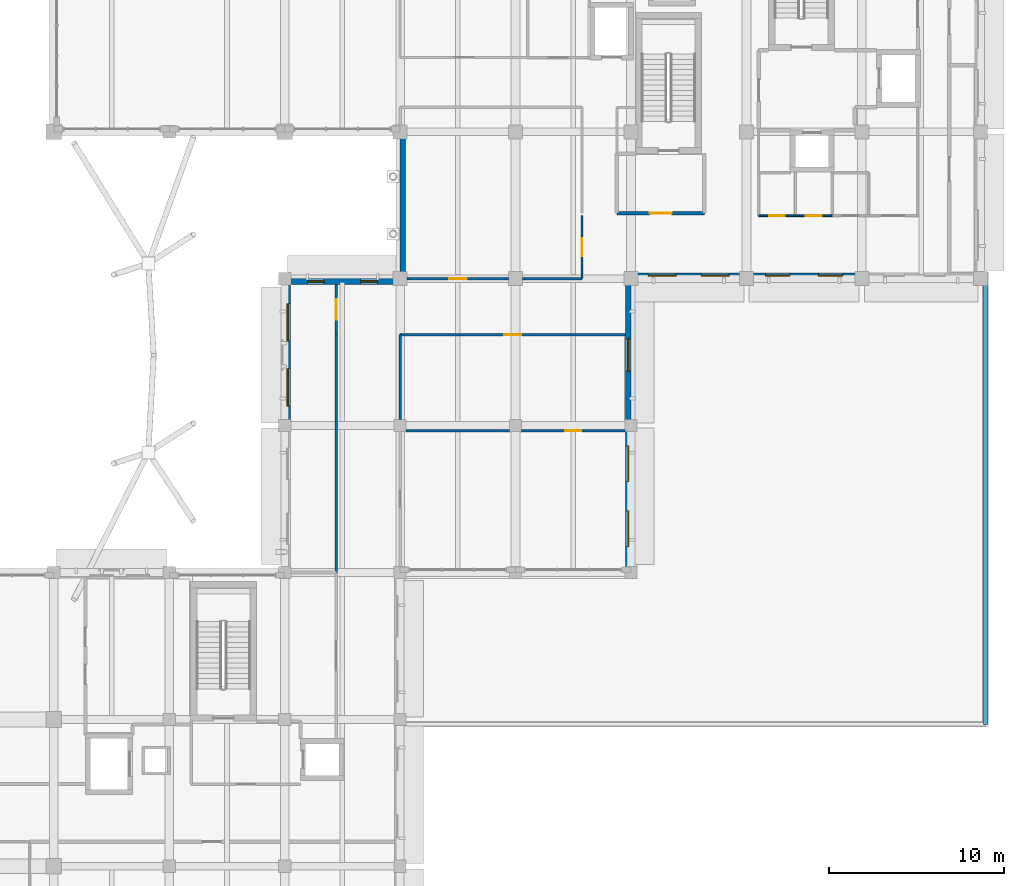
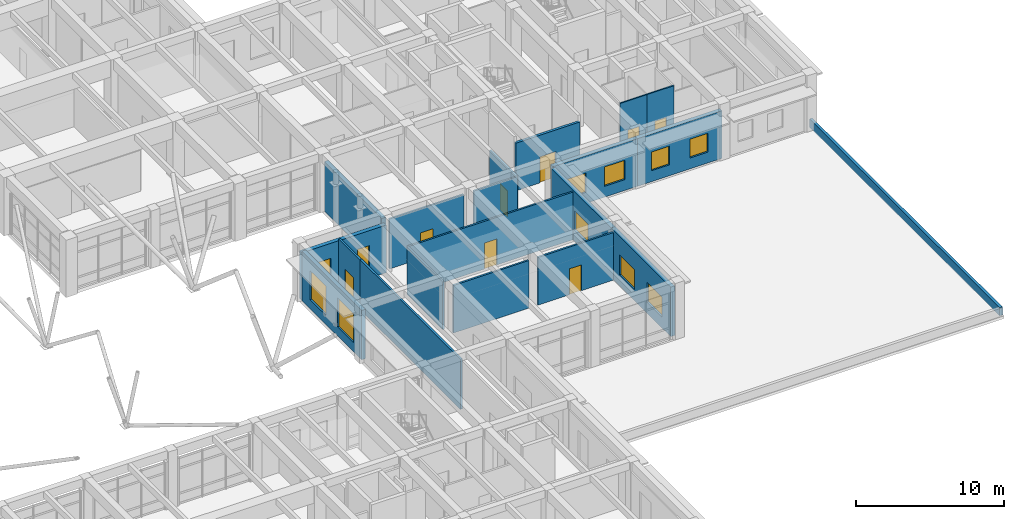
# One storey, part 52 of 75: 20 walls, 11 windows, 8 doors, 19 openings.
"""IFC4 building model written with IfcOpenShell, lengths in metres."""

from ifc_helpers import new_model, si_unit, direction, frame, frame_2d, origin, place, context, subcontext, project, spatial, rectangle, extrude, material, layer, layer_set, type_object, element, fill, save


model = new_model("IFC4")

# Units and contexts
model_context = context("Model", 3, precision=1e-05, world=origin(), true_north=direction((0.0, 1.0)))
body_context = subcontext(model_context, "Body", "Model", "MODEL_VIEW")
ifc_project = project(units=[si_unit("LENGTHUNIT", "METRE"), si_unit("AREAUNIT", "SQUARE_METRE"), si_unit("VOLUMEUNIT", "CUBIC_METRE"), si_unit("PLANEANGLEUNIT", "RADIAN"), si_unit("MASSUNIT", "GRAM", prefix="KILO")], contexts=[model_context])

# Site, building, storey
site_placement = place(None, origin())
site = spatial("IfcSite", under=ifc_project, at=site_placement, CompositionType="ELEMENT")
building_placement = place(site_placement, origin())
building = spatial("IfcBuilding", under=site, at=building_placement, Name="Kolvaren Faculty of Natural Sciences", CompositionType="ELEMENT")
storey_placement = place(building_placement, frame((0.0, 0.0, 5.39990234375)))
storey = spatial("IfcBuildingStorey", under=building, at=storey_placement, Name="L01", CompositionType="ELEMENT", Elevation=5.39990234375)

# Wall, opening, door
ifc_material_1 = material(Name="Acoustic mineral-wool insulated gypsum partition")
ifc_layer_1 = layer(ifc_material_1, 0.159912109375)
ifc_layer_set_1 = layer_set([ifc_layer_1], Name="Acoustic mineral-wool insulated gypsum partition")
wall_type_1 = type_object("IfcWallType", Name="ClassroomPartitionWall_160", PredefinedType="PARTITIONING", material=ifc_layer_set_1)
wall_1_placement = place(storey_placement, frame((135.14990234375, 58.677978515625, 0.0), z_axis=(0.0, 0.0, 1.0), x_axis=(0.0, -1.0, 0.0)))
wall_1 = element("IfcWall", 1, at=wall_1_placement, inside=storey, type_object=wall_type_1, Name="L01 interior partition PW-160", PredefinedType="PARTITIONING", context=body_context, shape_type="SweptSolid", body=[
    extrude(rectangle(XDim=2.8779296875, YDim=0.159912109375, at=frame_2d((1.43896484375, 0.0))), origin(), (0.0, 0.0, 1.0), 4.085205078125),
])
opening_1_placement = place(wall_1_placement, frame((0.84912109375, 0.0, 0.0)))
opening_1 = element("IfcOpeningElement", 2, at=opening_1_placement, cuts=wall_1, Name="Opening ID-18", PredefinedType="OPENING", context=body_context, shape_type="SweptSolid", body=[
    extrude(rectangle(XDim=1.179931640625, YDim=2.10009765625, at=frame_2d((0.58984375, 1.050048828125))), frame((0.0, 0.08984375, 0.0), z_axis=(0.0, -1.0, 0.0), x_axis=(1.0, 0.0, 0.0)), (0.0, 0.0, 1.0), 0.179931640625),
])
ifc_material_2 = material(Name="Solid-core hardwood veneer door leaf in steel frame", Category="steel")
door_type_1 = type_object("IfcDoorType", Name="InteriorRoomDoor_1180x2100", OperationType="NOTDEFINED", PredefinedType="DOOR", material=ifc_material_2)
door_1_placement = place(opening_1_placement, origin())
door_1 = element("IfcDoor", 3, at=door_1_placement, inside=storey, type_object=door_type_1, Name="D-L01-0152", OperationType="SINGLE_SWING_RIGHT", OverallHeight=2.10009765625, OverallWidth=1.179931640625, PredefinedType="DOOR", context=body_context, shape_type="SweptSolid", body=[
    extrude(rectangle(XDim=1.179931640625, YDim=2.10009765625, at=frame_2d((0.58984375, 1.050048828125))), frame((0.0, 0.02490234375, 0.0), z_axis=(0.0, -1.0, 0.0), x_axis=(1.0, 0.0, 0.0)), (0.0, 0.0, 1.0), 0.050048828125),
])
fill(opening_1, door_1)

# Wall
wall_2_placement = place(storey_placement, frame((135.14990234375, 55.800048828125, 0.0), z_axis=(0.0, 0.0, 1.0), x_axis=(0.0, -1.0, 0.0)))
element("IfcWall", 4, at=wall_2_placement, inside=storey, type_object=wall_type_1, Name="L01 interior partition PW-160", PredefinedType="PARTITIONING", context=body_context, shape_type="SweptSolid", body=[
    extrude(rectangle(XDim=13.60009765625, YDim=0.159912109375, at=frame_2d((6.800048828125, 0.0))), origin(), (0.0, 0.0, 1.0), 4.135009765625),
])

# Wall, opening, door
ifc_layer_2 = layer(ifc_material_1, 0.139892578125)
ifc_layer_set_2 = layer_set([ifc_layer_2], Name="Acoustic mineral-wool insulated gypsum partition")
wall_type_2 = type_object("IfcWallType", Name="CommonsPartitionWall_140", PredefinedType="PARTITIONING", material=ifc_layer_set_2)
wall_3_placement = place(storey_placement, frame((138.800048828125, 55.800048828125, 0.0), z_axis=(0.0, 0.0, 1.0), x_axis=(1.0, 0.0, 0.0)))
wall_3 = element("IfcWall", 5, at=wall_3_placement, inside=storey, type_object=wall_type_2, Name="L01 interior partition PW-140", PredefinedType="PARTITIONING", context=body_context, shape_type="SweptSolid", body=[
    extrude(rectangle(XDim=12.8779296875, YDim=0.139892578125, at=frame_2d((6.43896484375, 0.0))), origin(), (0.0, 0.0, 1.0), 3.93505859375),
])
opening_2_placement = place(wall_3_placement, frame((5.958984375, 0.0, 0.0)))
opening_2 = element("IfcOpeningElement", 6, at=opening_2_placement, cuts=wall_3, Name="Opening ID-20", PredefinedType="OPENING", context=body_context, shape_type="SweptSolid", body=[
    extrude(rectangle(XDim=0.9599609375, YDim=2.139892578125, at=frame_2d((0.47998046875, 1.06982421875))), frame((0.0, 0.079833984375, 0.0), z_axis=(0.0, -1.0, 0.0), x_axis=(1.0, 0.0, 0.0)), (0.0, 0.0, 1.0), 0.159912109375),
])
door_type_2 = type_object("IfcDoorType", Name="InteriorRoomDoor_960x2140", OperationType="NOTDEFINED", PredefinedType="DOOR", material=ifc_material_2)
door_2_placement = place(opening_2_placement, origin())
door_2 = element("IfcDoor", 7, at=door_2_placement, inside=storey, type_object=door_type_2, Name="D-L01-0155", OperationType="SINGLE_SWING_LEFT", OverallHeight=2.139892578125, OverallWidth=0.9599609375, PredefinedType="DOOR", context=body_context, shape_type="SweptSolid", body=[
    extrude(rectangle(XDim=0.9599609375, YDim=2.139892578125, at=frame_2d((0.47998046875, 1.06982421875))), frame((0.0, 0.02490234375, 0.0), z_axis=(0.0, -1.0, 0.0), x_axis=(1.0, 0.0, 0.0)), (0.0, 0.0, 1.0), 0.050048828125),
])
fill(opening_2, door_2)

# Walls
wall_4_placement = place(storey_placement, frame((138.800048828125, 50.949951171875, 0.0), z_axis=(0.0, 0.0, 1.0), x_axis=(0.0, 1.0, 0.0)))
element("IfcWall", 8, at=wall_4_placement, inside=storey, type_object=wall_type_2, Name="L01 interior partition PW-140", PredefinedType="PARTITIONING", context=body_context, shape_type="SweptSolid", body=[
    extrude(rectangle(XDim=4.85009765625, YDim=0.139892578125, at=frame_2d((2.425048828125, 0.0))), origin(), (0.0, 0.0, 1.0), 3.93505859375),
])
ifc_layer_3 = layer(ifc_material_1, 0.14501953125)
ifc_layer_set_3 = layer_set([ifc_layer_3], Name="Acoustic mineral-wool insulated gypsum partition")
wall_type_3 = type_object("IfcWallType", Name="CommonsPartitionWall_145", PredefinedType="PARTITIONING", material=ifc_layer_set_3)
wall_5_placement = place(storey_placement, frame((139.14990234375, 50.300048828125, 0.0), z_axis=(0.0, 0.0, 1.0), x_axis=(1.0, 0.0, 0.0)))
element("IfcWall", 9, at=wall_5_placement, inside=storey, type_object=wall_type_3, Name="L01 interior partition PW-145", PredefinedType="PARTITIONING", context=body_context, shape_type="SweptSolid", body=[
    extrude(rectangle(XDim=5.900146484375, YDim=0.14501953125, at=frame_2d((2.9501953125, 0.0))), origin(), (0.0, 0.0, 1.0), 3.93505859375),
])

# Wall, opening, door
wall_6_placement = place(storey_placement, frame((145.75, 50.300048828125, 0.0), z_axis=(0.0, 0.0, 1.0), x_axis=(1.0, 0.0, 0.0)))
wall_6 = element("IfcWall", 10, at=wall_6_placement, inside=storey, type_object=wall_type_3, Name="L01 interior partition PW-145", PredefinedType="PARTITIONING", context=body_context, shape_type="SweptSolid", body=[
    extrude(rectangle(XDim=5.89990234375, YDim=0.14501953125, at=frame_2d((2.949951171875, 0.0))), origin(), (0.0, 0.0, 1.0), 3.93505859375),
])
opening_3_placement = place(wall_6_placement, frame((2.489990234375, 0.0, 0.0)))
opening_3 = element("IfcOpeningElement", 11, at=opening_3_placement, cuts=wall_6, Name="Opening ID-19", PredefinedType="OPENING", context=body_context, shape_type="SweptSolid", body=[
    extrude(rectangle(XDim=0.919921875, YDim=2.139892578125, at=frame_2d((0.4599609375, 1.06982421875))), frame((0.0, 0.08251953125, 0.0), z_axis=(0.0, -1.0, 0.0), x_axis=(1.0, 0.0, 0.0)), (0.0, 0.0, 1.0), 0.1650390625),
])
door_type_3 = type_object("IfcDoorType", Name="InteriorRoomDoor_920x2140", OperationType="NOTDEFINED", PredefinedType="DOOR", material=ifc_material_2)
door_3_placement = place(opening_3_placement, origin())
door_3 = element("IfcDoor", 12, at=door_3_placement, inside=storey, type_object=door_type_3, Name="D-L01-0154", OperationType="SINGLE_SWING_RIGHT", OverallHeight=2.139892578125, OverallWidth=0.919921875, PredefinedType="DOOR", context=body_context, shape_type="SweptSolid", body=[
    extrude(rectangle(XDim=0.919921875, YDim=2.139892578125, at=frame_2d((0.4599609375, 1.06982421875))), frame((0.0, 0.02490234375, 0.0), z_axis=(0.0, -1.0, 0.0), x_axis=(1.0, 0.0, 0.0)), (0.0, 0.0, 1.0), 0.050048828125),
])
fill(opening_3, door_3)

# Wall, openings, windows
ifc_material_3 = material(Name="Sandstone-faced insulated cavity masonry", Category="masonry")
ifc_layer_4 = layer(ifc_material_3, 0.320068359375)
ifc_layer_set_4 = layer_set([ifc_layer_4], Name="Sandstone-faced insulated cavity masonry")
wall_type_4 = type_object("IfcWallType", Name="ExteriorCavityWall_320", PredefinedType="STANDARD", material=ifc_layer_set_4)
wall_7_placement = place(storey_placement, frame((132.360107421875, 50.60009765625, 0.0), z_axis=(0.0, 0.0, 1.0), x_axis=(0.0, 1.0, 0.0)))
wall_7 = element("IfcWall", 13, at=wall_7_placement, inside=storey, type_object=wall_type_4, Name="L01 exterior masonry wall EW-320 (184)", PredefinedType="STANDARD", context=body_context, shape_type="SweptSolid", body=[
    extrude(rectangle(XDim=8.079833984375, YDim=0.320068359375, at=frame_2d((4.0400390625, 0.0))), origin(), (0.0, 0.0, 1.0), 4.085205078125),
])
opening_4_placement = place(wall_7_placement, frame((1.106689453125, 0.0, 0.75)))
opening_4 = element("IfcOpeningElement", 14, at=opening_4_placement, cuts=wall_7, Name="Opening WIN-22", PredefinedType="OPENING", context=body_context, shape_type="SweptSolid", body=[
    extrude(rectangle(XDim=2.14990234375, YDim=2.39990234375, at=frame_2d((1.074951171875, 1.199951171875))), frame((0.0, 0.169921875, 0.0), z_axis=(0.0, -1.0, 0.0), x_axis=(1.0, 0.0, 0.0)), (0.0, 0.0, 1.0), 0.340087890625),
])
opening_5_placement = place(wall_7_placement, frame((4.823486328125, 0.0, 0.75)))
opening_5 = element("IfcOpeningElement", 15, at=opening_5_placement, cuts=wall_7, Name="Opening WIN-22", PredefinedType="OPENING", context=body_context, shape_type="SweptSolid", body=[
    extrude(rectangle(XDim=2.14990234375, YDim=2.39990234375, at=frame_2d((1.074951171875, 1.199951171875))), frame((0.0, 0.169921875, 0.0), z_axis=(0.0, -1.0, 0.0), x_axis=(1.0, 0.0, 0.0)), (0.0, 0.0, 1.0), 0.340087890625),
])
ifc_material_4 = material(Name="Double low-E solar control insulated glazing", Category="glass")
window_type_1 = type_object("IfcWindowType", Name="AluWindow_WIN22_2150x2400", PartitioningType="SINGLE_PANEL", PredefinedType="WINDOW", material=ifc_material_4)
window_1_placement = place(opening_4_placement, origin())
window_1 = element("IfcWindow", 16, at=window_1_placement, inside=storey, type_object=window_type_1, Name="WIN-L01-0169", OverallHeight=2.39990234375, OverallWidth=2.14990234375, PartitioningType="SINGLE_PANEL", PredefinedType="WINDOW", context=body_context, shape_type="SweptSolid", body=[
    extrude(rectangle(XDim=2.14990234375, YDim=2.39990234375, at=frame_2d((1.074951171875, 1.199951171875))), frame((0.0, 0.030029296875, 0.0), z_axis=(0.0, -1.0, 0.0), x_axis=(1.0, 0.0, 0.0)), (0.0, 0.0, 1.0), 0.06005859375),
])
fill(opening_4, window_1)
window_2_placement = place(opening_5_placement, origin())
window_2 = element("IfcWindow", 17, at=window_2_placement, inside=storey, type_object=window_type_1, Name="WIN-L01-0170", OverallHeight=2.39990234375, OverallWidth=2.14990234375, PartitioningType="SINGLE_PANEL", PredefinedType="WINDOW", context=body_context, shape_type="SweptSolid", body=[
    extrude(rectangle(XDim=2.14990234375, YDim=2.39990234375, at=frame_2d((1.074951171875, 1.199951171875))), frame((0.0, 0.030029296875, 0.0), z_axis=(0.0, -1.0, 0.0), x_axis=(1.0, 0.0, 0.0)), (0.0, 0.0, 1.0), 0.06005859375),
])
fill(opening_5, window_2)

wall_8_placement = place(storey_placement, frame((132.199951171875, 58.840087890625, 0.0), z_axis=(0.0, 0.0, 1.0), x_axis=(1.0, 0.0, 0.0)))
wall_8 = element("IfcWall", 18, at=wall_8_placement, inside=storey, type_object=wall_type_4, Name="L01 exterior masonry wall EW-320 (185)", PredefinedType="STANDARD", context=body_context, shape_type="SweptSolid", body=[
    extrude(rectangle(XDim=6.60009765625, YDim=0.320068359375, at=frame_2d((3.300048828125, 0.0))), origin(), (0.0, 0.0, 1.0), 3.93505859375),
])
opening_6_placement = place(wall_8_placement, frame((1.306884765625, 0.0, 0.89990234375)))
opening_6 = element("IfcOpeningElement", 19, at=opening_6_placement, cuts=wall_8, Name="Opening WIN-23", PredefinedType="OPENING", context=body_context, shape_type="SweptSolid", body=[
    extrude(rectangle(XDim=0.949951171875, YDim=1.800048828125, at=frame_2d((0.47509765625, 0.89990234375))), frame((0.0, 0.169921875, 0.0), z_axis=(0.0, -1.0, 0.0), x_axis=(1.0, 0.0, 0.0)), (0.0, 0.0, 1.0), 0.340087890625),
])
opening_7_placement = place(wall_8_placement, frame((4.343017578125, 0.0, 0.89990234375)))
opening_7 = element("IfcOpeningElement", 20, at=opening_7_placement, cuts=wall_8, Name="Opening WIN-23", PredefinedType="OPENING", context=body_context, shape_type="SweptSolid", body=[
    extrude(rectangle(XDim=0.949951171875, YDim=1.800048828125, at=frame_2d((0.47509765625, 0.89990234375))), frame((0.0, 0.169921875, 0.0), z_axis=(0.0, -1.0, 0.0), x_axis=(1.0, 0.0, 0.0)), (0.0, 0.0, 1.0), 0.340087890625),
])
window_type_2 = type_object("IfcWindowType", Name="AluWindow_WIN23_950x1800", PartitioningType="SINGLE_PANEL", PredefinedType="WINDOW", material=ifc_material_4)
window_3_placement = place(opening_6_placement, origin())
window_3 = element("IfcWindow", 21, at=window_3_placement, inside=storey, type_object=window_type_2, Name="WIN-L01-0171", OverallHeight=1.800048828125, OverallWidth=0.949951171875, PartitioningType="SINGLE_PANEL", PredefinedType="WINDOW", context=body_context, shape_type="SweptSolid", body=[
    extrude(rectangle(XDim=0.949951171875, YDim=1.800048828125, at=frame_2d((0.47509765625, 0.89990234375))), frame((0.0, 0.030029296875, 0.0), z_axis=(0.0, -1.0, 0.0), x_axis=(1.0, 0.0, 0.0)), (0.0, 0.0, 1.0), 0.06005859375),
])
fill(opening_6, window_3)
window_4_placement = place(opening_7_placement, origin())
window_4 = element("IfcWindow", 22, at=window_4_placement, inside=storey, type_object=window_type_2, Name="WIN-L01-0172", OverallHeight=1.800048828125, OverallWidth=0.949951171875, PartitioningType="SINGLE_PANEL", PredefinedType="WINDOW", context=body_context, shape_type="SweptSolid", body=[
    extrude(rectangle(XDim=0.949951171875, YDim=1.800048828125, at=frame_2d((0.47509765625, 0.89990234375))), frame((0.0, 0.030029296875, 0.0), z_axis=(0.0, -1.0, 0.0), x_axis=(1.0, 0.0, 0.0)), (0.0, 0.0, 1.0), 0.06005859375),
])
fill(opening_7, window_4)

# Wall
wall_9_placement = place(storey_placement, frame((138.9599609375, 59.320068359375, 0.0), z_axis=(0.0, 0.0, 1.0), x_axis=(0.0, 1.0, 0.0)))
element("IfcWall", 23, at=wall_9_placement, inside=storey, type_object=wall_type_4, Name="L01 exterior masonry wall EW-320 (186)", PredefinedType="STANDARD", context=body_context, shape_type="SweptSolid", body=[
    extrude(rectangle(XDim=7.760009765625, YDim=0.320068359375, at=frame_2d((3.8798828125, 0.0))), origin(), (0.0, 0.0, 1.0), 4.085205078125),
])

# Wall, openings, windows
wall_10_placement = place(storey_placement, frame((165.199951171875, 59.159912109375, 0.0), z_axis=(0.0, 0.0, 1.0), x_axis=(-1.0, 0.0, 0.0)))
wall_10 = element("IfcWall", 24, at=wall_10_placement, inside=storey, type_object=wall_type_4, Name="L01 exterior masonry wall EW-320 (220)", PredefinedType="STANDARD", context=body_context, shape_type="SweptSolid", body=[
    extrude(rectangle(XDim=6.599853515625, YDim=0.320068359375, at=frame_2d((3.2998046875, 0.0))), origin(), (0.0, 0.0, 1.0), 3.93505859375),
])
opening_8_placement = place(wall_10_placement, frame((1.08203125, 0.0, 0.89990234375)))
opening_8 = element("IfcOpeningElement", 25, at=opening_8_placement, cuts=wall_10, Name="Opening WIN-14", PredefinedType="OPENING", context=body_context, shape_type="SweptSolid", body=[
    extrude(rectangle(XDim=1.39990234375, YDim=1.550048828125, at=frame_2d((0.699951171875, 0.77490234375))), frame((0.0, 0.169921875, 0.0), z_axis=(0.0, -1.0, 0.0), x_axis=(1.0, 0.0, 0.0)), (0.0, 0.0, 1.0), 0.340087890625),
])
opening_9_placement = place(wall_10_placement, frame((4.117919921875, 0.0, 0.89990234375)))
opening_9 = element("IfcOpeningElement", 26, at=opening_9_placement, cuts=wall_10, Name="Opening WIN-14", PredefinedType="OPENING", context=body_context, shape_type="SweptSolid", body=[
    extrude(rectangle(XDim=1.39990234375, YDim=1.550048828125, at=frame_2d((0.699951171875, 0.77490234375))), frame((0.0, 0.169921875, 0.0), z_axis=(0.0, -1.0, 0.0), x_axis=(1.0, 0.0, 0.0)), (0.0, 0.0, 1.0), 0.340087890625),
])
window_type_3 = type_object("IfcWindowType", Name="AluWindow_WIN14_1400x1550", PartitioningType="SINGLE_PANEL", PredefinedType="WINDOW", material=ifc_material_4)
window_5_placement = place(opening_8_placement, origin())
window_5 = element("IfcWindow", 27, at=window_5_placement, inside=storey, type_object=window_type_3, Name="WIN-L01-0192", OverallHeight=1.550048828125, OverallWidth=1.39990234375, PartitioningType="SINGLE_PANEL", PredefinedType="WINDOW", context=body_context, shape_type="SweptSolid", body=[
    extrude(rectangle(XDim=1.39990234375, YDim=1.550048828125, at=frame_2d((0.699951171875, 0.77490234375))), frame((0.0, 0.030029296875, 0.0), z_axis=(0.0, -1.0, 0.0), x_axis=(1.0, 0.0, 0.0)), (0.0, 0.0, 1.0), 0.06005859375),
])
fill(opening_8, window_5)
window_6_placement = place(opening_9_placement, origin())
window_6 = element("IfcWindow", 28, at=window_6_placement, inside=storey, type_object=window_type_3, Name="WIN-L01-0193", OverallHeight=1.550048828125, OverallWidth=1.39990234375, PartitioningType="SINGLE_PANEL", PredefinedType="WINDOW", context=body_context, shape_type="SweptSolid", body=[
    extrude(rectangle(XDim=1.39990234375, YDim=1.550048828125, at=frame_2d((0.699951171875, 0.77490234375))), frame((0.0, 0.030029296875, 0.0), z_axis=(0.0, -1.0, 0.0), x_axis=(1.0, 0.0, 0.0)), (0.0, 0.0, 1.0), 0.06005859375),
])
fill(opening_9, window_6)

wall_11_placement = place(storey_placement, frame((158.60009765625, 59.159912109375, 0.0), z_axis=(0.0, 0.0, 1.0), x_axis=(-1.0, 0.0, 0.0)))
wall_11 = element("IfcWall", 29, at=wall_11_placement, inside=storey, type_object=wall_type_4, Name="L01 exterior masonry wall EW-320 (221)", PredefinedType="STANDARD", context=body_context, shape_type="SweptSolid", body=[
    extrude(rectangle(XDim=6.60009765625, YDim=0.320068359375, at=frame_2d((3.300048828125, 0.0))), origin(), (0.0, 0.0, 1.0), 3.93505859375),
])
opening_10_placement = place(wall_11_placement, frame((0.98193359375, 0.0, 0.89990234375)))
opening_10 = element("IfcOpeningElement", 30, at=opening_10_placement, cuts=wall_11, Name="Opening WIN-15", PredefinedType="OPENING", context=body_context, shape_type="SweptSolid", body=[
    extrude(rectangle(XDim=1.60009765625, YDim=1.60009765625, at=frame_2d((0.800048828125, 0.800048828125))), frame((0.0, 0.169921875, 0.0), z_axis=(0.0, -1.0, 0.0), x_axis=(1.0, 0.0, 0.0)), (0.0, 0.0, 1.0), 0.340087890625),
])
opening_11_placement = place(wall_11_placement, frame((4.01806640625, 0.0, 0.89990234375)))
opening_11 = element("IfcOpeningElement", 31, at=opening_11_placement, cuts=wall_11, Name="Opening WIN-15", PredefinedType="OPENING", context=body_context, shape_type="SweptSolid", body=[
    extrude(rectangle(XDim=1.60009765625, YDim=1.60009765625, at=frame_2d((0.800048828125, 0.800048828125))), frame((0.0, 0.169921875, 0.0), z_axis=(0.0, -1.0, 0.0), x_axis=(1.0, 0.0, 0.0)), (0.0, 0.0, 1.0), 0.340087890625),
])
window_type_4 = type_object("IfcWindowType", Name="AluWindow_WIN15_1600x1600", PartitioningType="SINGLE_PANEL", PredefinedType="WINDOW", material=ifc_material_4)
window_7_placement = place(opening_10_placement, origin())
window_7 = element("IfcWindow", 32, at=window_7_placement, inside=storey, type_object=window_type_4, Name="WIN-L01-0194", OverallHeight=1.60009765625, OverallWidth=1.60009765625, PartitioningType="SINGLE_PANEL", PredefinedType="WINDOW", context=body_context, shape_type="SweptSolid", body=[
    extrude(rectangle(XDim=1.60009765625, YDim=1.60009765625, at=frame_2d((0.800048828125, 0.800048828125))), frame((0.0, 0.030029296875, 0.0), z_axis=(0.0, -1.0, 0.0), x_axis=(1.0, 0.0, 0.0)), (0.0, 0.0, 1.0), 0.06005859375),
])
fill(opening_10, window_7)
window_8_placement = place(opening_11_placement, origin())
window_8 = element("IfcWindow", 33, at=window_8_placement, inside=storey, type_object=window_type_4, Name="WIN-L01-0195", OverallHeight=1.60009765625, OverallWidth=1.60009765625, PartitioningType="SINGLE_PANEL", PredefinedType="WINDOW", context=body_context, shape_type="SweptSolid", body=[
    extrude(rectangle(XDim=1.60009765625, YDim=1.60009765625, at=frame_2d((0.800048828125, 0.800048828125))), frame((0.0, 0.030029296875, 0.0), z_axis=(0.0, -1.0, 0.0), x_axis=(1.0, 0.0, 0.0)), (0.0, 0.0, 1.0), 0.06005859375),
])
fill(opening_11, window_8)

# Wall, opening, window
wall_12_placement = place(storey_placement, frame((151.840087890625, 58.679931640625, 0.0), z_axis=(0.0, 0.0, 1.0), x_axis=(0.0, -1.0, 0.0)))
wall_12 = element("IfcWall", 34, at=wall_12_placement, inside=storey, type_object=wall_type_4, Name="L01 exterior masonry wall EW-320 (222)", PredefinedType="STANDARD", context=body_context, shape_type="SweptSolid", body=[
    extrude(rectangle(XDim=8.079833984375, YDim=0.320068359375, at=frame_2d((4.0400390625, 0.0))), origin(), (0.0, 0.0, 1.0), 4.085205078125),
])
opening_12_placement = place(wall_12_placement, frame((3.1201171875, 0.0, 0.89990234375)))
opening_12 = element("IfcOpeningElement", 35, at=opening_12_placement, cuts=wall_12, Name="Opening WIN-16", PredefinedType="OPENING", context=body_context, shape_type="SweptSolid", body=[
    extrude(rectangle(XDim=1.85009765625, YDim=1.60009765625, at=frame_2d((0.925048828125, 0.800048828125))), frame((0.0, 0.169921875, 0.0), z_axis=(0.0, -1.0, 0.0), x_axis=(1.0, 0.0, 0.0)), (0.0, 0.0, 1.0), 0.340087890625),
])
window_type_5 = type_object("IfcWindowType", Name="AluWindow_WIN16_1850x1600", PartitioningType="SINGLE_PANEL", PredefinedType="WINDOW", material=ifc_material_4)
window_9_placement = place(opening_12_placement, origin())
window_9 = element("IfcWindow", 36, at=window_9_placement, inside=storey, type_object=window_type_5, Name="WIN-L01-0196", OverallHeight=1.60009765625, OverallWidth=1.85009765625, PartitioningType="SINGLE_PANEL", PredefinedType="WINDOW", context=body_context, shape_type="SweptSolid", body=[
    extrude(rectangle(XDim=1.85009765625, YDim=1.60009765625, at=frame_2d((0.925048828125, 0.800048828125))), frame((0.0, 0.030029296875, 0.0), z_axis=(0.0, -1.0, 0.0), x_axis=(1.0, 0.0, 0.0)), (0.0, 0.0, 1.0), 0.06005859375),
])
fill(opening_12, window_9)

# Wall, openings, windows
wall_13_placement = place(storey_placement, frame((151.840087890625, 50.60009765625, 0.0), z_axis=(0.0, 0.0, 1.0), x_axis=(0.0, -1.0, 0.0)))
wall_13 = element("IfcWall", 37, at=wall_13_placement, inside=storey, type_object=wall_type_4, Name="L01 exterior masonry wall EW-320 (223)", PredefinedType="STANDARD", context=body_context, shape_type="SweptSolid", body=[
    extrude(rectangle(XDim=8.080078125, YDim=0.320068359375, at=frame_2d((4.0400390625, 0.0))), origin(), (0.0, 0.0, 1.0), 4.085205078125),
])
opening_13_placement = place(wall_13_placement, frame((1.156494140625, 0.0, 0.89990234375)))
opening_13 = element("IfcOpeningElement", 38, at=opening_13_placement, cuts=wall_13, Name="Opening WIN-17", PredefinedType="OPENING", context=body_context, shape_type="SweptSolid", body=[
    extrude(rectangle(XDim=2.050048828125, YDim=1.64990234375, at=frame_2d((1.02490234375, 0.824951171875))), frame((0.0, 0.169921875, 0.0), z_axis=(0.0, -1.0, 0.0), x_axis=(1.0, 0.0, 0.0)), (0.0, 0.0, 1.0), 0.340087890625),
])
opening_14_placement = place(wall_13_placement, frame((4.873291015625, 0.0, 0.89990234375)))
opening_14 = element("IfcOpeningElement", 39, at=opening_14_placement, cuts=wall_13, Name="Opening WIN-17", PredefinedType="OPENING", context=body_context, shape_type="SweptSolid", body=[
    extrude(rectangle(XDim=2.050048828125, YDim=1.64990234375, at=frame_2d((1.02490234375, 0.824951171875))), frame((0.0, 0.169921875, 0.0), z_axis=(0.0, -1.0, 0.0), x_axis=(1.0, 0.0, 0.0)), (0.0, 0.0, 1.0), 0.340087890625),
])
window_type_6 = type_object("IfcWindowType", Name="AluWindow_WIN17_2050x1650", PartitioningType="SINGLE_PANEL", PredefinedType="WINDOW", material=ifc_material_4)
window_10_placement = place(opening_13_placement, origin())
window_10 = element("IfcWindow", 40, at=window_10_placement, inside=storey, type_object=window_type_6, Name="WIN-L01-0197", OverallHeight=1.64990234375, OverallWidth=2.050048828125, PartitioningType="SINGLE_PANEL", PredefinedType="WINDOW", context=body_context, shape_type="SweptSolid", body=[
    extrude(rectangle(XDim=2.050048828125, YDim=1.64990234375, at=frame_2d((1.02490234375, 0.824951171875))), frame((0.0, 0.030029296875, 0.0), z_axis=(0.0, -1.0, 0.0), x_axis=(1.0, 0.0, 0.0)), (0.0, 0.0, 1.0), 0.06005859375),
])
fill(opening_13, window_10)
window_11_placement = place(opening_14_placement, origin())
window_11 = element("IfcWindow", 41, at=window_11_placement, inside=storey, type_object=window_type_6, Name="WIN-L01-0198", OverallHeight=1.64990234375, OverallWidth=2.050048828125, PartitioningType="SINGLE_PANEL", PredefinedType="WINDOW", context=body_context, shape_type="SweptSolid", body=[
    extrude(rectangle(XDim=2.050048828125, YDim=1.64990234375, at=frame_2d((1.02490234375, 0.824951171875))), frame((0.0, 0.030029296875, 0.0), z_axis=(0.0, -1.0, 0.0), x_axis=(1.0, 0.0, 0.0)), (0.0, 0.0, 1.0), 0.06005859375),
])
fill(opening_14, window_11)

# Wall, opening, door
ifc_material_5 = material(Name="Autoclaved aerated fire-rated masonry blockwork", Category="masonry")
ifc_layer_5 = layer(ifc_material_5, 0.199951171875)
ifc_layer_set_5 = layer_set([ifc_layer_5], Name="Autoclaved aerated fire-rated masonry blockwork")
wall_type_5 = type_object("IfcWallType", Name="FireLobbyWall_200", PredefinedType="PARTITIONING", material=ifc_layer_set_5)
wall_14_placement = place(storey_placement, frame((156.199951171875, 62.75, 0.0), z_axis=(0.0, 0.0, 1.0), x_axis=(-1.0, 0.0, 0.0)))
wall_14 = element("IfcWall", 42, at=wall_14_placement, inside=storey, type_object=wall_type_5, Name="L01 interior partition FW-200", PredefinedType="PARTITIONING", context=body_context, shape_type="SweptSolid", body=[
    extrude(rectangle(XDim=5.0, YDim=0.199951171875, at=frame_2d((2.5, 0.0))), origin(), (0.0, 0.0, 1.0), 3.93505859375),
])
opening_15_placement = place(wall_14_placement, frame((1.875, 0.0, 0.0)))
opening_15 = element("IfcOpeningElement", 43, at=opening_15_placement, cuts=wall_14, Name="Opening FD60", PredefinedType="OPENING", context=body_context, shape_type="SweptSolid", body=[
    extrude(rectangle(XDim=1.25, YDim=2.14990234375, at=frame_2d((0.625, 1.074951171875))), frame((0.0, 0.10986328125, 0.0), z_axis=(0.0, -1.0, 0.0), x_axis=(1.0, 0.0, 0.0)), (0.0, 0.0, 1.0), 0.219970703125),
])
ifc_material_6 = material(Name="Fire-rated solid-core hardwood door leaf in steel frame", Category="steel")
door_type_4 = type_object("IfcDoorType", Name="RescueLobbyFireDoor_1250x2150", OperationType="NOTDEFINED", PredefinedType="DOOR", material=ifc_material_6)
door_4_placement = place(opening_15_placement, origin())
door_4 = element("IfcDoor", 44, at=door_4_placement, inside=storey, type_object=door_type_4, Name="D-L01-0104", OperationType="SINGLE_SWING_RIGHT", OverallHeight=2.14990234375, OverallWidth=1.25, PredefinedType="DOOR", context=body_context, shape_type="SweptSolid", body=[
    extrude(rectangle(XDim=1.25, YDim=2.14990234375, at=frame_2d((0.625, 1.074951171875))), frame((0.0, 0.02490234375, 0.0), z_axis=(0.0, -1.0, 0.0), x_axis=(1.0, 0.0, 0.0)), (0.0, 0.0, 1.0), 0.050048828125),
])
fill(opening_15, door_4)

ifc_layer_6 = layer(ifc_material_1, 0.1298828125)
ifc_layer_set_6 = layer_set([ifc_layer_6], Name="Acoustic mineral-wool insulated gypsum partition")
wall_type_6 = type_object("IfcWallType", Name="OfficePartitionWall_130", PredefinedType="PARTITIONING", material=ifc_layer_set_6)
wall_15_placement = place(storey_placement, frame((149.199951171875, 62.60009765625, 0.0), z_axis=(0.0, 0.0, 1.0), x_axis=(0.0, -1.0, 0.0)))
wall_15 = element("IfcWall", 45, at=wall_15_placement, inside=storey, type_object=wall_type_6, Name="L01 interior partition PW-130", PredefinedType="PARTITIONING", context=body_context, shape_type="SweptSolid", body=[
    extrude(rectangle(XDim=3.60009765625, YDim=0.1298828125, at=frame_2d((1.800048828125, 0.0))), origin(), (0.0, 0.0, 1.0), 4.135009765625),
])
opening_16_placement = place(wall_15_placement, frame((1.294921875, 0.0, 0.0)))
opening_16 = element("IfcOpeningElement", 46, at=opening_16_placement, cuts=wall_15, Name="Opening ID-21", PredefinedType="OPENING", context=body_context, shape_type="SweptSolid", body=[
    extrude(rectangle(XDim=1.010009765625, YDim=2.139892578125, at=frame_2d((0.5048828125, 1.06982421875))), frame((0.0, 0.074951171875, 0.0), z_axis=(0.0, -1.0, 0.0), x_axis=(1.0, 0.0, 0.0)), (0.0, 0.0, 1.0), 0.14990234375),
])
door_type_5 = type_object("IfcDoorType", Name="InteriorRoomDoor_1010x2140", OperationType="NOTDEFINED", PredefinedType="DOOR", material=ifc_material_2)
door_5_placement = place(opening_16_placement, origin())
door_5 = element("IfcDoor", 47, at=door_5_placement, inside=storey, type_object=door_type_5, Name="D-L01-0157", OperationType="SINGLE_SWING_LEFT", OverallHeight=2.139892578125, OverallWidth=1.010009765625, PredefinedType="DOOR", context=body_context, shape_type="SweptSolid", body=[
    extrude(rectangle(XDim=1.010009765625, YDim=2.139892578125, at=frame_2d((0.5048828125, 1.06982421875))), frame((0.0, 0.02490234375, 0.0), z_axis=(0.0, -1.0, 0.0), x_axis=(1.0, 0.0, 0.0)), (0.0, 0.0, 1.0), 0.050048828125),
])
fill(opening_16, door_5)

# Wall
wall_16_placement = place(storey_placement, frame((149.199951171875, 59.0, 0.0), z_axis=(0.0, 0.0, 1.0), x_axis=(-1.0, 0.0, 0.0)))
element("IfcWall", 48, at=wall_16_placement, inside=storey, type_object=wall_type_6, Name="L01 interior partition PW-130", PredefinedType="PARTITIONING", context=body_context, shape_type="SweptSolid", body=[
    extrude(rectangle(XDim=3.39990234375, YDim=0.1298828125, at=frame_2d((1.699951171875, 0.0))), origin(), (0.0, 0.0, 1.0), 4.135009765625),
])

# Wall, opening, door
wall_17_placement = place(storey_placement, frame((145.0, 59.0, 0.0), z_axis=(0.0, 0.0, 1.0), x_axis=(-1.0, 0.0, 0.0)))
wall_17 = element("IfcWall", 49, at=wall_17_placement, inside=storey, type_object=wall_type_6, Name="L01 interior partition PW-130", PredefinedType="PARTITIONING", context=body_context, shape_type="SweptSolid", body=[
    extrude(rectangle(XDim=5.800048828125, YDim=0.1298828125, at=frame_2d((2.89990234375, 0.0))), origin(), (0.0, 0.0, 1.0), 4.135009765625),
])
opening_17_placement = place(wall_17_placement, frame((2.39501953125, 0.0, 0.0)))
opening_17 = element("IfcOpeningElement", 50, at=opening_17_placement, cuts=wall_17, Name="Opening ID-21", PredefinedType="OPENING", context=body_context, shape_type="SweptSolid", body=[
    extrude(rectangle(XDim=1.010009765625, YDim=2.139892578125, at=frame_2d((0.5048828125, 1.06982421875))), frame((0.0, 0.074951171875, 0.0), z_axis=(0.0, -1.0, 0.0), x_axis=(1.0, 0.0, 0.0)), (0.0, 0.0, 1.0), 0.14990234375),
])
door_6_placement = place(opening_17_placement, origin())
door_6 = element("IfcDoor", 51, at=door_6_placement, inside=storey, type_object=door_type_5, Name="D-L01-0156", OperationType="SINGLE_SWING_RIGHT", OverallHeight=2.139892578125, OverallWidth=1.010009765625, PredefinedType="DOOR", context=body_context, shape_type="SweptSolid", body=[
    extrude(rectangle(XDim=1.010009765625, YDim=2.139892578125, at=frame_2d((0.5048828125, 1.06982421875))), frame((0.0, 0.02490234375, 0.0), z_axis=(0.0, -1.0, 0.0), x_axis=(1.0, 0.0, 0.0)), (0.0, 0.0, 1.0), 0.050048828125),
])
fill(opening_17, door_6)

# Wall
ifc_material_7 = material(Name="Precast concrete C35/45", Category="concrete")
ifc_layer_7 = layer(ifc_material_7, 0.219970703125)
ifc_layer_set_7 = layer_set([ifc_layer_7], Name="Precast concrete C35/45")
wall_type_7 = type_object("IfcWallType", Name="ParapetUpstandWall_220", PredefinedType="PARAPET", material=ifc_layer_set_7)
wall_18_placement = place(storey_placement, frame((172.280029296875, 59.22998046875, 0.0), z_axis=(0.0, 0.0, 1.0), x_axis=(0.0, -1.0, 0.0)))
element("IfcWall", 52, at=wall_18_placement, inside=storey, type_object=wall_type_7, Name="L01 architectural sandstone roof parapet 12", PredefinedType="PARAPET", context=body_context, shape_type="SweptSolid", body=[
    extrude(rectangle(XDim=25.7099609375, YDim=0.219970703125, at=frame_2d((12.85498046875, 0.0))), origin(), (0.0, 0.0, 1.0), 0.68017578125),
])

# Wall, opening, door
ifc_layer_8 = layer(ifc_material_1, 0.10498046875)
ifc_layer_set_8 = layer_set([ifc_layer_8], Name="Acoustic mineral-wool insulated gypsum partition")
wall_type_8 = type_object("IfcWallType", Name="WetRoomPartition_105", PredefinedType="PARTITIONING", material=ifc_layer_set_8)
wall_19_placement = place(storey_placement, frame((161.39990234375, 62.60009765625, 0.0), z_axis=(0.0, 0.0, 1.0), x_axis=(-1.0, 0.0, 0.0)))
wall_19 = element("IfcWall", 53, at=wall_19_placement, inside=storey, type_object=wall_type_8, Name="L01 interior partition PW-105", PredefinedType="PARTITIONING", context=body_context, shape_type="SweptSolid", body=[
    extrude(rectangle(XDim=2.099853515625, YDim=0.10498046875, at=frame_2d((1.0498046875, 0.0))), origin(), (0.0, 0.0, 1.0), 4.445068359375),
])
opening_18_placement = place(wall_19_placement, frame((0.60009765625, 0.0, 0.0)))
opening_18 = element("IfcOpeningElement", 54, at=opening_18_placement, cuts=wall_19, Name="Opening ID-01", PredefinedType="OPENING", context=body_context, shape_type="SweptSolid", body=[
    extrude(rectangle(XDim=0.89990234375, YDim=2.02001953125, at=frame_2d((0.449951171875, 1.010009765625))), frame((0.0, 0.0625, 0.0), z_axis=(0.0, -1.0, 0.0), x_axis=(1.0, 0.0, 0.0)), (0.0, 0.0, 1.0), 0.125),
])
door_type_6 = type_object("IfcDoorType", Name="InteriorRoomDoor_900x2020", OperationType="NOTDEFINED", PredefinedType="DOOR", material=ifc_material_2)
door_7_placement = place(opening_18_placement, origin())
door_7 = element("IfcDoor", 55, at=door_7_placement, inside=storey, type_object=door_type_6, Name="D-L01-0111", OperationType="SINGLE_SWING_LEFT", OverallHeight=2.02001953125, OverallWidth=0.89990234375, PredefinedType="DOOR", context=body_context, shape_type="SweptSolid", body=[
    extrude(rectangle(XDim=0.89990234375, YDim=2.02001953125, at=frame_2d((0.449951171875, 1.010009765625))), frame((0.0, 0.02490234375, 0.0), z_axis=(0.0, -1.0, 0.0), x_axis=(1.0, 0.0, 0.0)), (0.0, 0.0, 1.0), 0.050048828125),
])
fill(opening_18, door_7)

wall_20_placement = place(storey_placement, frame((163.5, 62.60009765625, 0.0), z_axis=(0.0, 0.0, 1.0), x_axis=(-1.0, 0.0, 0.0)))
wall_20 = element("IfcWall", 56, at=wall_20_placement, inside=storey, type_object=wall_type_8, Name="L01 interior partition PW-105", PredefinedType="PARTITIONING", context=body_context, shape_type="SweptSolid", body=[
    extrude(rectangle(XDim=2.10009765625, YDim=0.10498046875, at=frame_2d((1.050048828125, 0.0))), origin(), (0.0, 0.0, 1.0), 4.445068359375),
])
opening_19_placement = place(wall_20_placement, frame((0.60009765625, 0.0, 0.0)))
opening_19 = element("IfcOpeningElement", 57, at=opening_19_placement, cuts=wall_20, Name="Opening ID-01", PredefinedType="OPENING", context=body_context, shape_type="SweptSolid", body=[
    extrude(rectangle(XDim=0.89990234375, YDim=2.02001953125, at=frame_2d((0.449951171875, 1.010009765625))), frame((0.0, 0.0625, 0.0), z_axis=(0.0, -1.0, 0.0), x_axis=(1.0, 0.0, 0.0)), (0.0, 0.0, 1.0), 0.125),
])
door_8_placement = place(opening_19_placement, origin())
door_8 = element("IfcDoor", 58, at=door_8_placement, inside=storey, type_object=door_type_6, Name="D-L01-0112", OperationType="SINGLE_SWING_RIGHT", OverallHeight=2.02001953125, OverallWidth=0.89990234375, PredefinedType="DOOR", context=body_context, shape_type="SweptSolid", body=[
    extrude(rectangle(XDim=0.89990234375, YDim=2.02001953125, at=frame_2d((0.449951171875, 1.010009765625))), frame((0.0, 0.02490234375, 0.0), z_axis=(0.0, -1.0, 0.0), x_axis=(1.0, 0.0, 0.0)), (0.0, 0.0, 1.0), 0.050048828125),
])
fill(opening_19, door_8)

save(model, "model.ifc")
